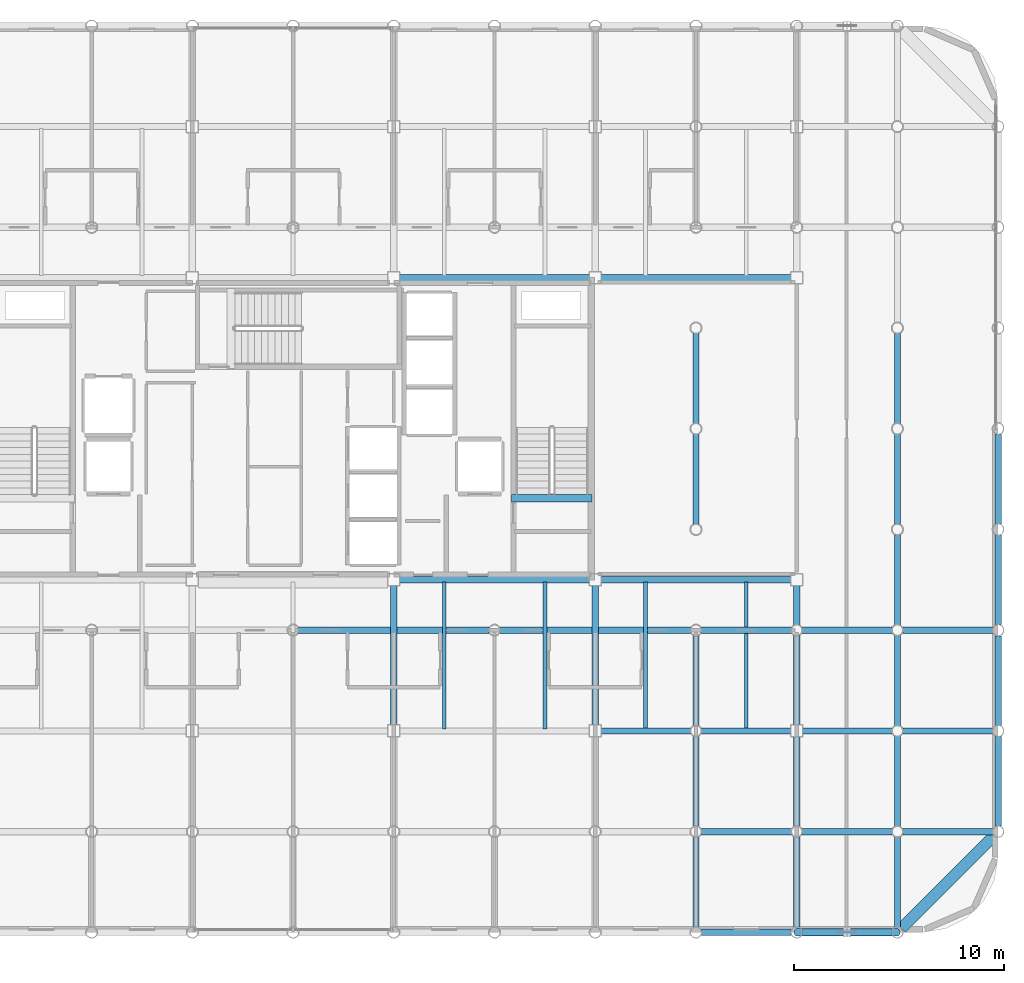
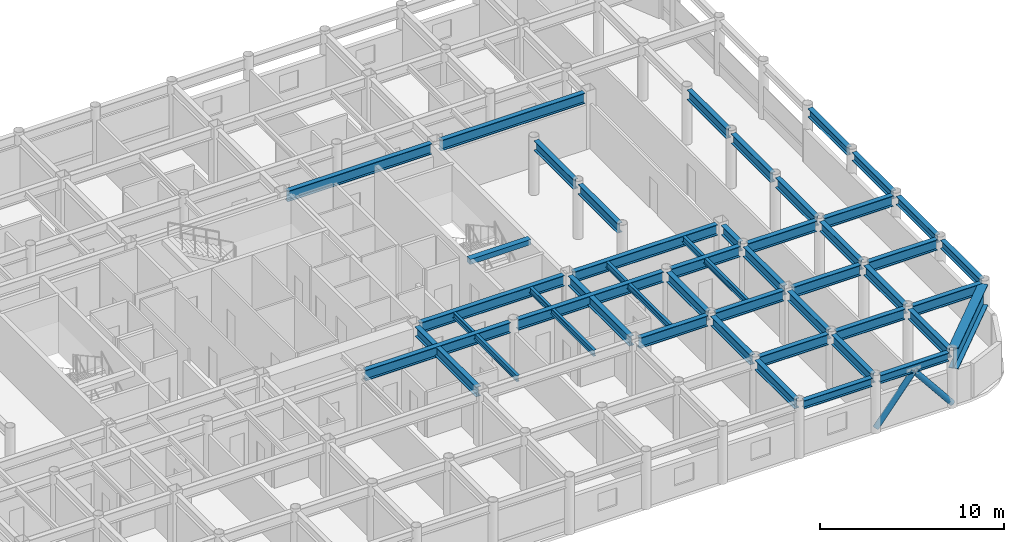
# One storey, part 9 of 22: 45 beams, 2 members.
"""IFC4 building model written with IfcOpenShell, lengths in metres."""

from ifc_helpers import new_model, si_unit, direction, frame, origin, origin_2d, place, context, subcontext, project, spatial, rectangle, hollow_circle, i_section, extrude, material, material_profile, profile_set, type_object, element, save


model = new_model("IFC4")

# Units and contexts
model_context = context("Model", 3, precision=1e-05, world=origin(), true_north=direction((0.0, 1.0)))
body_context = subcontext(model_context, "Body", "Model", "MODEL_VIEW")
ifc_project = project(units=[si_unit("LENGTHUNIT", "METRE"), si_unit("AREAUNIT", "SQUARE_METRE"), si_unit("VOLUMEUNIT", "CUBIC_METRE"), si_unit("PLANEANGLEUNIT", "RADIAN"), si_unit("MASSUNIT", "GRAM", prefix="KILO")], contexts=[model_context])

# Site, building, storey
site_placement = place(None, origin())
site = spatial("IfcSite", under=ifc_project, at=site_placement, CompositionType="ELEMENT")
building_placement = place(site_placement, origin())
building = spatial("IfcBuilding", under=site, at=building_placement, Name="Kallvorn Hotel Tower", CompositionType="ELEMENT")
storey_placement = place(building_placement, frame((0.0, 0.0, 199.199951171875)))
storey = spatial("IfcBuildingStorey", under=building, at=storey_placement, Name="L49", CompositionType="ELEMENT", Elevation=199.199951171875)

# Beams
ifc_material_1 = material(Name="Structural steel S355JR", Category="steel")
ifc_material_profile_1 = material_profile(ifc_material_1, i_section(OverallWidth=0.300048828125, OverallDepth=0.550048828125, WebThickness=0.014892578125, FlangeThickness=0.029052734375, at=origin_2d()), Name="HE 550 B")
ifc_profile_set_1 = profile_set([ifc_material_profile_1], Name="Structural steel S355JR")
beam_type_1 = type_object("IfcBeamType", Name="BM_HE550B", PredefinedType="SPANDREL", material=ifc_profile_set_1)
for number, where, z_axis, x_axis, name in (
    (1, (19.469482421875, -24.0, 3.39501953125), (1.0, 0.0, 0.0), (0.0, 1.0, 0.0), "L50 Perimeter Spandrel 160"),
    (2, (24.26953125, -24.0, 3.39501953125), (1.0, 0.0, 0.0), (0.0, 1.0, 0.0), "L50 Perimeter Spandrel 161"),
    (3, (33.60009765625, -18.930419921875, 3.39501953125), (0.0, 1.0, 0.0), (-1.0, 0.0, 0.0), "L50 Perimeter Spandrel 182"),
):
    element("IfcBeam", number, at=place(storey_placement, frame(where, z_axis=z_axis, x_axis=x_axis)), inside=storey, type_object=beam_type_1, Name=name, PredefinedType="SPANDREL", context=body_context, shape_type="SweptSolid", body=[
        extrude(i_section(OverallWidth=0.300048828125, OverallDepth=0.550048828125, WebThickness=0.014892578125, FlangeThickness=0.029052734375, at=origin_2d()), origin(), (0.0, 0.0, 1.0), 4.260986328125),
    ])
beam_1_placement = place(storey_placement, frame((33.60009765625, -14.130615234375, 3.39501953125), z_axis=(0.0, 1.0, 0.0), x_axis=(-1.0, 0.0, 0.0)))
element("IfcBeam", 4, at=beam_1_placement, inside=storey, type_object=beam_type_1, Name="L50 Perimeter Spandrel 183", PredefinedType="SPANDREL", context=body_context, shape_type="SweptSolid", body=[
    extrude(i_section(OverallWidth=0.300048828125, OverallDepth=0.550048828125, WebThickness=0.014892578125, FlangeThickness=0.029052734375, at=origin_2d()), origin(), (0.0, 0.0, 1.0), 4.26123046875),
])
for number, where, z_axis, x_axis, name in (
    (5, (33.60009765625, -9.33056640625, 3.39501953125), (0.0, 1.0, 0.0), (-1.0, 0.0, 0.0), "L50 Perimeter Spandrel 184"),
    (6, (33.60009765625, -4.530517578125, 3.39501953125), (0.0, 1.0, 0.0), (-1.0, 0.0, 0.0), "L50 Perimeter Spandrel 185"),
):
    element("IfcBeam", number, at=place(storey_placement, frame(where, z_axis=z_axis, x_axis=x_axis)), inside=storey, type_object=beam_type_1, Name=name, PredefinedType="SPANDREL", context=body_context, shape_type="SweptSolid", body=[
        extrude(i_section(OverallWidth=0.300048828125, OverallDepth=0.550048828125, WebThickness=0.014892578125, FlangeThickness=0.029052734375, at=origin_2d()), origin(), (0.0, 0.0, 1.0), 4.260986328125),
    ])
ifc_material_2 = material(Name="Structural steel S355JR", Category="steel")
ifc_material_profile_2 = material_profile(ifc_material_2, i_section(OverallWidth=0.300048828125, OverallDepth=0.64990234375, WebThickness=0.01611328125, FlangeThickness=0.031005859375, at=origin_2d()), Name="HE 650 B")
ifc_profile_set_2 = profile_set([ifc_material_profile_2], Name="Structural steel S355JR")
beam_type_2 = type_object("IfcBeamType", Name="BM_HE650B", PredefinedType="BEAM", material=ifc_profile_set_2)
for number, where, z_axis, x_axis, name in (
    (7, (4.800048828125, -14.125, 3.344970703125), (0.0, 1.0, 0.0), (-1.0, 0.0, 0.0), "L50 Primary Y-Girder 115"),
    (8, (14.39990234375, -14.125, 3.344970703125), (0.0, 1.0, 0.0), (-1.0, 0.0, 0.0), "L50 Primary Y-Girder 123"),
):
    element("IfcBeam", number, at=place(storey_placement, frame(where, z_axis=z_axis, x_axis=x_axis)), inside=storey, type_object=beam_type_2, Name=name, PredefinedType="BEAM", context=body_context, shape_type="SweptSolid", body=[
        extrude(i_section(OverallWidth=0.300048828125, OverallDepth=0.64990234375, WebThickness=0.01611328125, FlangeThickness=0.031005859375, at=origin_2d()), origin(), (0.0, 0.0, 1.0), 6.64990234375),
    ])
for number, where, z_axis, x_axis, name in (
    (9, (19.199951171875, -23.74560546875, 3.344970703125), (0.0, 1.0, 0.0), (-1.0, 0.0, 0.0), "L50 Primary Y-Girder 126"),
    (10, (19.199951171875, -18.945556640625, 3.344970703125), (0.0, 1.0, 0.0), (-1.0, 0.0, 0.0), "L50 Primary Y-Girder 127"),
    (11, (19.199951171875, -14.1455078125, 3.344970703125), (0.0, 1.0, 0.0), (-1.0, 0.0, 0.0), "L50 Primary Y-Girder 128"),
    (12, (19.199951171875, -4.54541015625, 3.344970703125), (0.0, 1.0, 0.0), (-1.0, 0.0, 0.0), "L50 Primary Y-Girder 130"),
    (13, (19.199951171875, 0.25439453125, 3.344970703125), (0.0, 1.0, 0.0), (-1.0, 0.0, 0.0), "L50 Primary Y-Girder 131"),
    (14, (24.0, -23.74560546875, 3.344970703125), (0.0, 1.0, 0.0), (-1.0, 0.0, 0.0), "L50 Primary Y-Girder 135"),
):
    element("IfcBeam", number, at=place(storey_placement, frame(where, z_axis=z_axis, x_axis=x_axis)), inside=storey, type_object=beam_type_2, Name=name, PredefinedType="BEAM", context=body_context, shape_type="SweptSolid", body=[
        extrude(i_section(OverallWidth=0.300048828125, OverallDepth=0.64990234375, WebThickness=0.01611328125, FlangeThickness=0.031005859375, at=origin_2d()), origin(), (0.0, 0.0, 1.0), 4.291015625),
    ])
for number, where, z_axis, x_axis, name in (
    (15, (24.0, -18.945556640625, 3.344970703125), (0.0, 1.0, 0.0), (-1.0, 0.0, 0.0), "L50 Primary Y-Girder 136"),
    (16, (24.0, -14.125, 3.344970703125), (0.0, 1.0, 0.0), (-1.0, 0.0, 0.0), "L50 Primary Y-Girder 137"),
):
    element("IfcBeam", number, at=place(storey_placement, frame(where, z_axis=z_axis, x_axis=x_axis)), inside=storey, type_object=beam_type_2, Name=name, PredefinedType="BEAM", context=body_context, shape_type="SweptSolid", body=[
        extrude(i_section(OverallWidth=0.300048828125, OverallDepth=0.64990234375, WebThickness=0.01611328125, FlangeThickness=0.031005859375, at=origin_2d()), origin(), (0.0, 0.0, 1.0), 4.2705078125),
    ])
beam_2_placement = place(storey_placement, frame((24.0, -9.345458984375, 3.344970703125), z_axis=(0.0, 1.0, 0.0), x_axis=(-1.0, 0.0, 0.0)))
element("IfcBeam", 17, at=beam_2_placement, inside=storey, type_object=beam_type_2, Name="L50 Primary Y-Girder 138", PredefinedType="BEAM", context=body_context, shape_type="SweptSolid", body=[
    extrude(i_section(OverallWidth=0.300048828125, OverallDepth=0.64990234375, WebThickness=0.01611328125, FlangeThickness=0.031005859375, at=origin_2d()), origin(), (0.0, 0.0, 1.0), 1.870361328125),
])
for number, where, z_axis, x_axis, name in (
    (18, (28.800048828125, -23.74560546875, 3.344970703125), (0.0, 1.0, 0.0), (-1.0, 0.0, 0.0), "L50 Primary Y-Girder 142"),
    (19, (28.800048828125, -18.945556640625, 3.344970703125), (0.0, 1.0, 0.0), (-1.0, 0.0, 0.0), "L50 Primary Y-Girder 143"),
    (20, (28.800048828125, -14.1455078125, 3.344970703125), (0.0, 1.0, 0.0), (-1.0, 0.0, 0.0), "L50 Primary Y-Girder 144"),
    (21, (28.800048828125, -9.345458984375, 3.344970703125), (0.0, 1.0, 0.0), (-1.0, 0.0, 0.0), "L50 Primary Y-Girder 145"),
    (22, (28.800048828125, -4.54541015625, 3.344970703125), (0.0, 1.0, 0.0), (-1.0, 0.0, 0.0), "L50 Primary Y-Girder 146"),
    (23, (28.800048828125, 0.25439453125, 3.344970703125), (0.0, 1.0, 0.0), (-1.0, 0.0, 0.0), "L50 Primary Y-Girder 147"),
):
    element("IfcBeam", number, at=place(storey_placement, frame(where, z_axis=z_axis, x_axis=x_axis)), inside=storey, type_object=beam_type_2, Name=name, PredefinedType="BEAM", context=body_context, shape_type="SweptSolid", body=[
        extrude(i_section(OverallWidth=0.300048828125, OverallDepth=0.64990234375, WebThickness=0.01611328125, FlangeThickness=0.031005859375, at=origin_2d()), origin(), (0.0, 0.0, 1.0), 4.291015625),
    ])
ifc_material_3 = material(Name="Structural steel S355JR", Category="steel")
ifc_material_profile_3 = material_profile(ifc_material_3, i_section(OverallWidth=0.300048828125, OverallDepth=0.699951171875, WebThickness=0.01708984375, FlangeThickness=0.031982421875, at=origin_2d()), Name="HE 700 B")
ifc_profile_set_3 = profile_set([ifc_material_profile_3], Name="Structural steel S355JR")
beam_type_3 = type_object("IfcBeamType", Name="BM_HE700B", PredefinedType="BEAM", material=ifc_profile_set_3)
for number, where, z_axis, x_axis, name in (
    (24, (19.45458984375, -19.199951171875, 3.320068359375), (1.0, 0.0, 0.0), (0.0, 1.0, 0.0), "L50 Primary X-Girder 11"),
    (25, (24.25439453125, -19.199951171875, 3.320068359375), (1.0, 0.0, 0.0), (0.0, 1.0, 0.0), "L50 Primary X-Girder 12"),
    (26, (29.054443359375, -19.199951171875, 3.320068359375), (1.0, 0.0, 0.0), (0.0, 1.0, 0.0), "L50 Primary X-Girder 13"),
):
    element("IfcBeam", number, at=place(storey_placement, frame(where, z_axis=z_axis, x_axis=x_axis)), inside=storey, type_object=beam_type_3, Name=name, PredefinedType="BEAM", context=body_context, shape_type="SweptSolid", body=[
        extrude(i_section(OverallWidth=0.300048828125, OverallDepth=0.699951171875, WebThickness=0.01708984375, FlangeThickness=0.031982421875, at=origin_2d()), origin(), (0.0, 0.0, 1.0), 4.291015625),
    ])
for number, where, z_axis, x_axis, name in (
    (27, (14.675048828125, -14.39990234375, 3.320068359375), (1.0, 0.0, 0.0), (0.0, 1.0, 0.0), "L50 Primary X-Girder 20"),
    (28, (19.45458984375, -14.39990234375, 3.320068359375), (1.0, 0.0, 0.0), (0.0, 1.0, 0.0), "L50 Primary X-Girder 21"),
    (29, (24.27490234375, -14.39990234375, 3.320068359375), (1.0, 0.0, 0.0), (0.0, 1.0, 0.0), "L50 Primary X-Girder 22"),
):
    element("IfcBeam", number, at=place(storey_placement, frame(where, z_axis=z_axis, x_axis=x_axis)), inside=storey, type_object=beam_type_3, Name=name, PredefinedType="BEAM", context=body_context, shape_type="SweptSolid", body=[
        extrude(i_section(OverallWidth=0.300048828125, OverallDepth=0.699951171875, WebThickness=0.01708984375, FlangeThickness=0.031982421875, at=origin_2d()), origin(), (0.0, 0.0, 1.0), 4.2705078125),
    ])
beam_3_placement = place(storey_placement, frame((29.054443359375, -14.39990234375, 3.320068359375), z_axis=(1.0, 0.0, 0.0), x_axis=(0.0, 1.0, 0.0)))
element("IfcBeam", 30, at=beam_3_placement, inside=storey, type_object=beam_type_3, Name="L50 Primary X-Girder 23", PredefinedType="BEAM", context=body_context, shape_type="SweptSolid", body=[
    extrude(i_section(OverallWidth=0.300048828125, OverallDepth=0.699951171875, WebThickness=0.01708984375, FlangeThickness=0.031982421875, at=origin_2d()), origin(), (0.0, 0.0, 1.0), 4.291015625),
])
for number, where, z_axis, x_axis, name in (
    (31, (0.25439453125, -9.60009765625, 3.320068359375), (1.0, 0.0, 0.0), (0.0, 1.0, 0.0), "L50 Primary X-Girder 28"),
    (32, (9.8544921875, -9.60009765625, 3.320068359375), (1.0, 0.0, 0.0), (0.0, 1.0, 0.0), "L50 Primary X-Girder 29"),
):
    element("IfcBeam", number, at=place(storey_placement, frame(where, z_axis=z_axis, x_axis=x_axis)), inside=storey, type_object=beam_type_3, Name=name, PredefinedType="BEAM", context=body_context, shape_type="SweptSolid", body=[
        extrude(i_section(OverallWidth=0.300048828125, OverallDepth=0.699951171875, WebThickness=0.01708984375, FlangeThickness=0.031982421875, at=origin_2d()), origin(), (0.0, 0.0, 1.0), 9.091064453125),
    ])
for number, where, z_axis, x_axis, name in (
    (33, (19.45458984375, -9.60009765625, 3.320068359375), (1.0, 0.0, 0.0), (0.0, 1.0, 0.0), "L50 Primary X-Girder 30"),
    (34, (24.25439453125, -9.60009765625, 3.320068359375), (1.0, 0.0, 0.0), (0.0, 1.0, 0.0), "L50 Primary X-Girder 31"),
    (35, (29.054443359375, -9.60009765625, 3.320068359375), (1.0, 0.0, 0.0), (0.0, 1.0, 0.0), "L50 Primary X-Girder 32"),
):
    element("IfcBeam", number, at=place(storey_placement, frame(where, z_axis=z_axis, x_axis=x_axis)), inside=storey, type_object=beam_type_3, Name=name, PredefinedType="BEAM", context=body_context, shape_type="SweptSolid", body=[
        extrude(i_section(OverallWidth=0.300048828125, OverallDepth=0.699951171875, WebThickness=0.01708984375, FlangeThickness=0.031982421875, at=origin_2d()), origin(), (0.0, 0.0, 1.0), 4.291015625),
    ])
for number, where, z_axis, x_axis, name in (
    (36, (5.074951171875, -7.199951171875, 3.320068359375), (1.0, 0.0, 0.0), (0.0, 1.0, 0.0), "L50 Primary X-Girder 35"),
    (37, (14.675048828125, -7.199951171875, 3.320068359375), (1.0, 0.0, 0.0), (0.0, 1.0, 0.0), "L50 Primary X-Girder 36"),
    (38, (5.074951171875, 7.199951171875, 3.320068359375), (1.0, 0.0, 0.0), (0.0, 1.0, 0.0), "L50 Primary X-Girder 40"),
    (39, (14.675048828125, 7.199951171875, 3.320068359375), (1.0, 0.0, 0.0), (0.0, 1.0, 0.0), "L50 Primary X-Girder 41"),
):
    element("IfcBeam", number, at=place(storey_placement, frame(where, z_axis=z_axis, x_axis=x_axis)), inside=storey, type_object=beam_type_3, Name=name, PredefinedType="BEAM", context=body_context, shape_type="SweptSolid", body=[
        extrude(i_section(OverallWidth=0.300048828125, OverallDepth=0.699951171875, WebThickness=0.01708984375, FlangeThickness=0.031982421875, at=origin_2d()), origin(), (0.0, 0.0, 1.0), 9.050048828125),
    ])
ifc_material_4 = material(Name="Structural steel S355JR", Category="steel")
ifc_material_profile_4 = material_profile(ifc_material_4, i_section(OverallWidth=0.179931640625, OverallDepth=0.39990234375, WebThickness=0.008544921875, FlangeThickness=0.013427734375, at=origin_2d()), Name="IPE 400")
ifc_profile_set_4 = profile_set([ifc_material_profile_4], Name="Structural steel S355JR")
beam_type_4 = type_object("IfcBeamType", Name="BM_IPE400", PredefinedType="JOIST", material=ifc_profile_set_4)
for number, where, z_axis, x_axis, name in (
    (40, (7.199951171875, -14.300048828125, 3.469970703125), (0.0, 1.0, 0.0), (-1.0, 0.0, 0.0), "L50 Secondary Composite Joist 202"),
    (41, (12.0, -14.300048828125, 3.469970703125), (0.0, 1.0, 0.0), (-1.0, 0.0, 0.0), "L50 Secondary Composite Joist 204"),
    (42, (16.800048828125, -14.300048828125, 3.469970703125), (0.0, 1.0, 0.0), (-1.0, 0.0, 0.0), "L50 Secondary Composite Joist 206"),
    (43, (21.60009765625, -14.300048828125, 3.469970703125), (0.0, 1.0, 0.0), (-1.0, 0.0, 0.0), "L50 Secondary Composite Joist 208"),
):
    element("IfcBeam", number, at=place(storey_placement, frame(where, z_axis=z_axis, x_axis=x_axis)), inside=storey, type_object=beam_type_4, Name=name, PredefinedType="JOIST", context=body_context, shape_type="SweptSolid", body=[
        extrude(i_section(OverallWidth=0.179931640625, OverallDepth=0.39990234375, WebThickness=0.008544921875, FlangeThickness=0.013427734375, at=origin_2d()), origin(), (0.0, 0.0, 1.0), 7.0),
    ])
ifc_material_5 = material(Name="Structural steel S355JR", Category="steel")
ifc_material_profile_5 = material_profile(ifc_material_5, i_section(OverallWidth=0.550048828125, OverallDepth=1.39990234375, WebThickness=0.02490234375, FlangeThickness=0.044921875, at=origin_2d()), Name="PG 1400x550x25x45")
ifc_profile_set_5 = profile_set([ifc_material_profile_5], Name="Structural steel S355JR")
beam_type_5 = type_object("IfcBeamType", Name="BM_PG_1400", PredefinedType="BEAM", material=ifc_profile_set_5)
beam_4_placement = place(storey_placement, frame((33.409423828125, -19.390625, 2.969970703125), z_axis=(-0.707126314793, -0.707087247041, 0.0), x_axis=(0.707087247041, -0.707126314793, 0.0)))
element("IfcBeam", 44, at=beam_4_placement, inside=storey, type_object=beam_type_5, Name="L50 Rounded Corner Tie Beam 190", PredefinedType="BEAM", context=body_context, shape_type="SweptSolid", body=[
    extrude(i_section(OverallWidth=0.550048828125, OverallDepth=1.39990234375, WebThickness=0.02490234375, FlangeThickness=0.044921875, at=origin_2d()), origin(), (0.0, 0.0, 1.0), 6.249267578125),
])
ifc_material_6 = material(Name="Concrete C50/60", Category="concrete")
ifc_material_profile_6 = material_profile(ifc_material_6, rectangle(XDim=0.360107421875, YDim=0.340087890625, at=origin_2d()), Name="RC 360x340")
ifc_profile_set_6 = profile_set([ifc_material_profile_6], Name="Concrete C50/60")
beam_type_6 = type_object("IfcBeamType", Name="BM_RC_400x360", PredefinedType="BEAM", material=ifc_profile_set_6)
beam_5_placement = place(storey_placement, frame((14.239990234375, -3.31005859375, 3.5), z_axis=(-1.0, 0.0, 0.0), x_axis=(0.0, -1.0, 0.0)))
element("IfcBeam", 45, at=beam_5_placement, inside=storey, type_object=beam_type_6, Name="L50 Stair ST2 Arrival Trimmer Beam", PredefinedType="BEAM", context=body_context, shape_type="SweptSolid", body=[
    extrude(rectangle(XDim=0.360107421875, YDim=0.340087890625, at=origin_2d()), origin(), (0.0, 0.0, 1.0), 3.820068359375),
])

# Members
ifc_material_7 = material(Name="Structural steel S355J2H", Category="steel")
ifc_material_profile_7 = material_profile(ifc_material_7, hollow_circle(Radius=0.177734375, WallThickness=0.01416015625, at=origin_2d()), Name="CHS 355.6x14.2")
ifc_profile_set_7 = profile_set([ifc_material_profile_7], Name="Structural steel S355J2H")
member_type = type_object("IfcMemberType", Name="MBR_EXO_CHS355", PredefinedType="BRACE", material=ifc_profile_set_7)
for number, where, z_axis, x_axis, name in (
    (46, (24.012451171875, -24.0, 0.195556640625), (0.627239379498, 0.0, 0.778826528058), (0.0, 1.0, 0.0), "L49 Exoskeleton K-Brace S2A"),
    (47, (28.78759765625, -24.0, 0.195556640625), (-0.627239379498, 0.0, 0.778826528058), (0.0, -1.0, 0.0), "L49 Exoskeleton K-Brace S2B"),
):
    element("IfcMember", number, at=place(storey_placement, frame(where, z_axis=z_axis, x_axis=x_axis)), inside=storey, type_object=member_type, Name=name, PredefinedType="BRACE", context=body_context, shape_type="SweptSolid", body=[
        extrude(hollow_circle(Radius=0.177734375, WallThickness=0.01416015625, at=origin_2d()), origin(), (0.0, 0.0, 1.0), 3.786376953125),
    ])

save(model, "model.ifc")
